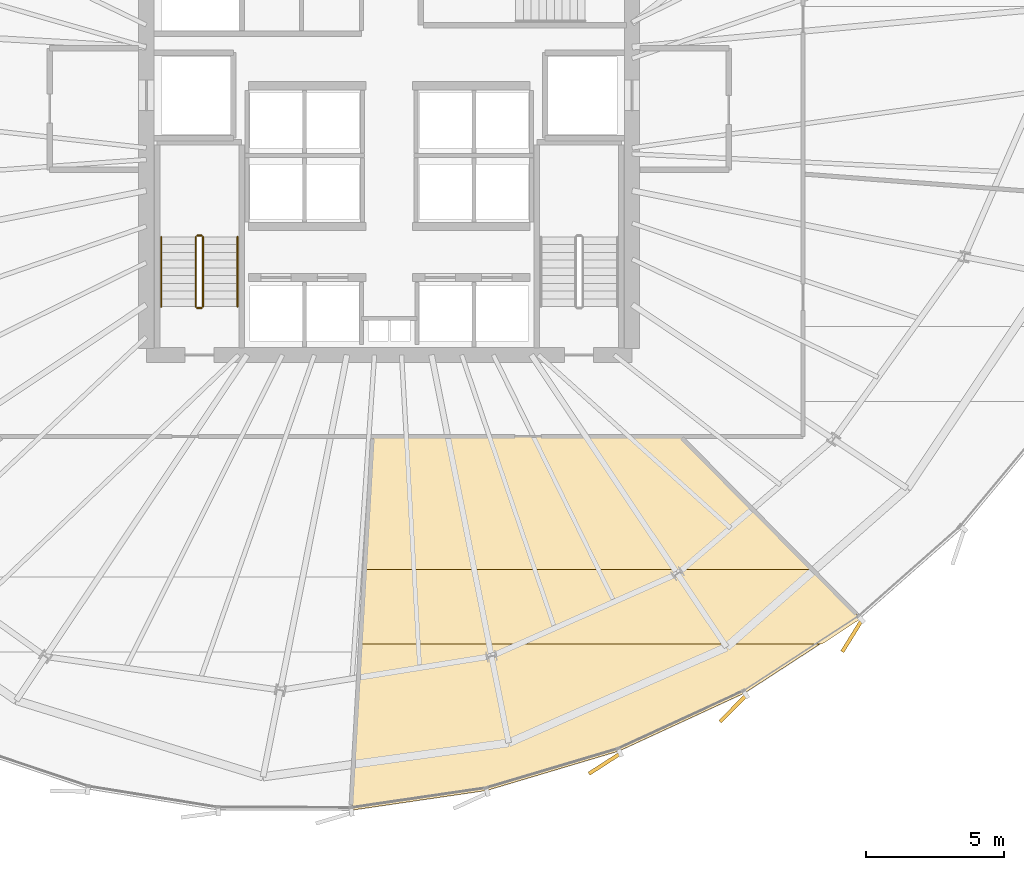
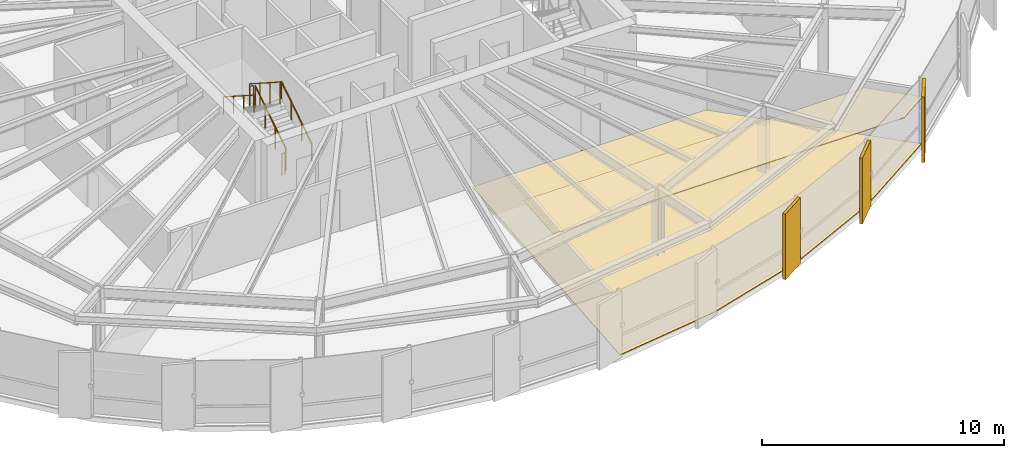
# One storey, part 31 of 33: 6 railings, 5 coverings.
"""IFC4 building model written with IfcOpenShell, lengths in metres."""

import ifcopenshell
import ifcopenshell.guid

model = None  # the IFC model being written
_history = None  # IfcOwnerHistory: only IFC2X3 demands one
_inside = {}  # id of a spatial element -> (the spatial element, [elements in it])
_under = {}  # id of a project, library or spatial element -> (it, [spatial elements below it])
_declared = {}  # id of a project -> (the project, [libraries it declares])
_typed = {}  # id of a type object -> (the type object, [elements of that type])
_made_of = {}  # id of a material, layer set ... -> (it, [elements and type objects made of it])


def new_model(schema):
    """Start an empty IFC model of exactly this schema.

    Asked for "IFC4X3", IfcOpenShell would pick the latest addendum, in which some entities
    have other attributes; the version numbers below select the first issue.
    IFC2X3 requires an IfcOwnerHistory on every rooted entity: one is made here for all.
    """
    global model, _history
    if schema == "IFC4X3":
        model = ifcopenshell.file(schema_version=(4, 3, 0, 0))
    else:
        model = ifcopenshell.file(schema=schema)
    _inside.clear()
    _under.clear()
    _declared.clear()
    _typed.clear()
    _made_of.clear()
    _history = None
    if model.schema == "IFC2X3":
        org = make("IfcOrganization", Name="unknown")
        user = make(
            "IfcPersonAndOrganization",
            ThePerson=make("IfcPerson", FamilyName="unknown"),
            TheOrganization=org,
        )
        app = make(
            "IfcApplication",
            ApplicationDeveloper=org,
            Version="unknown",
            ApplicationFullName="unknown",
            ApplicationIdentifier="unknown",
        )
        _history = make(
            "IfcOwnerHistory",
            OwningUser=user,
            OwningApplication=app,
            ChangeAction="ADDED",
            CreationDate=0,
        )
    return model


def make(cls, **values):
    """One entity of the class cls with the attributes given. An attribute that is None is left unset."""
    return model.create_entity(
        cls, **{name: value for name, value in values.items() if value is not None}
    )


def rooted(cls, **values):
    """An entity with a GlobalId (a new one), such as an element, a storey or a relation."""
    return make(cls, GlobalId=ifcopenshell.guid.new(), OwnerHistory=_history, **values)


def si_unit(unit_type, name, prefix=None):
    """IfcSIUnit, for example si_unit("LENGTHUNIT", "METRE", prefix="MILLI")."""
    return make("IfcSIUnit", UnitType=unit_type, Prefix=prefix, Name=name)


def assignment(units):
    """IfcUnitAssignment: the units of a project."""
    return None if units is None else make("IfcUnitAssignment", Units=units)


def point(xyz):
    """IfcCartesianPoint."""
    return None if xyz is None else make("IfcCartesianPoint", Coordinates=xyz)


def direction(xyz):
    """IfcDirection."""
    return None if xyz is None else make("IfcDirection", DirectionRatios=xyz)


def frame(location, z_axis=None, x_axis=None):
    """IfcAxis2Placement3D, a coordinate frame: its origin and axes. An axis left out is left unset."""
    return make(
        "IfcAxis2Placement3D",
        Location=point(location),
        Axis=direction(z_axis),
        RefDirection=direction(x_axis),
    )


def frame_2d(location, x_axis=None):
    """IfcAxis2Placement2D, a coordinate frame in the plane: its origin and x axis."""
    return make(
        "IfcAxis2Placement2D", Location=point(location), RefDirection=direction(x_axis)
    )


def origin():
    """The frame at (0, 0, 0) with its axes left unset."""
    return frame((0.0, 0.0, 0.0))


def origin_2d():
    """The frame at (0, 0) in the plane with its x axis left unset."""
    return frame_2d((0.0, 0.0))


def place(relative_to, where):
    """IfcLocalPlacement: puts the frame where relative to a parent placement (None: the world)."""
    return make(
        "IfcLocalPlacement", PlacementRelTo=relative_to, RelativePlacement=where
    )


def context(
    kind, dimensions, precision=None, world=None, true_north=None, identifier=None
):
    """IfcGeometricRepresentationContext, for example the 3D "Model" context."""
    return make(
        "IfcGeometricRepresentationContext",
        ContextIdentifier=identifier,
        ContextType=kind,
        CoordinateSpaceDimension=dimensions,
        Precision=precision,
        WorldCoordinateSystem=world,
        TrueNorth=true_north,
    )


def subcontext(parent, identifier, kind, view, scale=None):
    """IfcGeometricRepresentationSubContext, for example "Body" below "Model"."""
    return make(
        "IfcGeometricRepresentationSubContext",
        ContextIdentifier=identifier,
        ContextType=kind,
        ParentContext=parent,
        TargetScale=scale,
        TargetView=view,
    )


def project(units=None, contexts=None):
    """IfcProject with its units and contexts."""
    return rooted(
        "IfcProject",
        Name="project",
        RepresentationContexts=contexts,
        UnitsInContext=assignment(units),
    )


def spatial(cls, under=None, at=None, **own):
    """A site, building, storey or space (cls), placed at a placement, below another one or the project."""
    s = rooted(cls, ObjectPlacement=at, **own)
    if under is not None:
        _under.setdefault(under.id(), (under, []))[1].append(s)
    return s


def polyline(points):
    """IfcPolyline through the points."""
    return make("IfcPolyline", Points=[point(p) for p in points])


def profile(cls, at=None, kind="AREA", **sizes):
    """A parametric profile (cls). Its sizes go by their IFC names, for example OverallWidth=200.0."""
    return make(cls, ProfileType=kind, Position=at, **sizes)


def rectangle(**sizes):
    """IfcRectangleProfileDef."""
    return profile("IfcRectangleProfileDef", **sizes)


def circle(**sizes):
    """IfcCircleProfileDef."""
    return profile("IfcCircleProfileDef", **sizes)


def outline(outer, holes=None, kind="AREA"):
    """IfcArbitraryClosedProfileDef: a profile drawn as a closed curve; with holes, ...WithVoids."""
    if holes is None:
        return make("IfcArbitraryClosedProfileDef", ProfileType=kind, OuterCurve=outer)
    return make(
        "IfcArbitraryProfileDefWithVoids",
        ProfileType=kind,
        OuterCurve=outer,
        InnerCurves=holes,
    )


def extrude(swept, where, along, depth):
    """IfcExtrudedAreaSolid: the profile swept, set in the frame where, extruded along a direction by depth."""
    return make(
        "IfcExtrudedAreaSolid",
        SweptArea=swept,
        Position=where,
        ExtrudedDirection=direction(along),
        Depth=depth,
    )


def shape(context_of_items, identifier, shape_type, items):
    """IfcShapeRepresentation: the items that make up one representation, for example the "Body"."""
    return make(
        "IfcShapeRepresentation",
        ContextOfItems=context_of_items,
        RepresentationIdentifier=identifier,
        RepresentationType=shape_type,
        Items=items,
    )


def source(mapping_origin, context_of_items, identifier, shape_type, items):
    """IfcRepresentationMap: a shape defined once, which mapped items show again and again."""
    return make(
        "IfcRepresentationMap",
        MappingOrigin=mapping_origin,
        MappedRepresentation=shape(context_of_items, identifier, shape_type, items),
    )


def transform(
    local_origin,
    x_axis=None,
    y_axis=None,
    z_axis=None,
    scale=None,
    scale2=None,
    scale3=None,
    uniform=True,
):
    """IfcCartesianTransformationOperator3D, or its non-uniform kind. x_axis, y_axis, z_axis: its Axis1, 2, 3."""
    if uniform:
        return make(
            "IfcCartesianTransformationOperator3D",
            Axis1=direction(x_axis),
            Axis2=direction(y_axis),
            LocalOrigin=point(local_origin),
            Scale=scale,
            Axis3=direction(z_axis),
        )
    return make(
        "IfcCartesianTransformationOperator3DnonUniform",
        Axis1=direction(x_axis),
        Axis2=direction(y_axis),
        LocalOrigin=point(local_origin),
        Scale=scale,
        Axis3=direction(z_axis),
        Scale2=scale2,
        Scale3=scale3,
    )


def mapped(mapping_source, mapping_target):
    """IfcMappedItem: shows the shape of a source again, moved by a transform."""
    return make(
        "IfcMappedItem", MappingSource=mapping_source, MappingTarget=mapping_target
    )


def material(Name=None, Category=None):
    """IfcMaterial."""
    return make("IfcMaterial", Name=Name, Category=Category)


def layer(
    of_material, thickness, ventilated=None, Name=None, Category=None, Priority=None
):
    """IfcMaterialLayer: one layer of a wall or slab, of a material (None: an air gap)."""
    return make(
        "IfcMaterialLayer",
        Material=of_material,
        LayerThickness=thickness,
        IsVentilated=ventilated,
        Name=Name,
        Category=Category,
        Priority=Priority,
    )


def layer_set(layers, Name=None):
    """IfcMaterialLayerSet."""
    return make("IfcMaterialLayerSet", MaterialLayers=layers, LayerSetName=Name)


def made_of(thing, what):
    """Note that an element or type object is made of a material, layer set ...; save() writes the relation."""
    if what is not None:
        _made_of.setdefault(what.id(), (what, []))[1].append(thing)
    return thing


def type_object(cls, material=None, **own):
    """A type object (cls), such as IfcWallType, which elements share."""
    return made_of(rooted(cls, **own), material)


def element(
    cls,
    number,
    at=None,
    inside=None,
    cuts=None,
    type_object=None,
    material=None,
    context=None,
    identifier="Body",
    shape_type=None,
    held_by="IfcProductDefinitionShape",
    body=None,
    shapes=None,
    **own,
):
    """One element of the class cls, such as IfcWall. Its Tag is "e" and its number.

    at: its placement. inside: the storey or other place that contains it. cuts: it is an
    opening in that element (IfcRelVoidsElement). A single representation is given by context,
    identifier, shape_type and body (its items); several are given by shapes. held_by: the class
    of the entity that holds the representations. save() writes the other relations.
    """
    e = rooted(cls, Tag="e%d" % number, ObjectPlacement=at, **own)
    if body is not None:
        shapes = [shape(context, identifier, shape_type, body)]
    if shapes is not None:
        e.Representation = make(held_by, Representations=shapes)
    if inside is not None:
        _inside.setdefault(inside.id(), (inside, []))[1].append(e)
    if cuts is not None:
        rooted(
            "IfcRelVoidsElement", RelatingBuildingElement=cuts, RelatedOpeningElement=e
        )
    if type_object is not None:
        _typed.setdefault(type_object.id(), (type_object, []))[1].append(e)
    return made_of(e, material)


def aggregate(whole, parts):
    """IfcRelAggregates: a whole, such as a stair, and the parts it consists of."""
    return rooted("IfcRelAggregates", RelatingObject=whole, RelatedObjects=parts)


def save(model, path):
    """Write the relations noted so far, then the file.

    IfcRelAggregates (storeys below a building ...), IfcRelContainedInSpatialStructure (elements
    in a storey), IfcRelDefinesByType, IfcRelAssociatesMaterial and IfcRelDeclares: one each for
    every whole, place, type object, material and project.
    """
    for whole, parts in _under.values():
        aggregate(whole, parts)
    for where, things in _inside.values():
        rooted(
            "IfcRelContainedInSpatialStructure",
            RelatedElements=things,
            RelatingStructure=where,
        )
    for kind, things in _typed.values():
        rooted("IfcRelDefinesByType", RelatedObjects=things, RelatingType=kind)
    for what, things in _made_of.values():
        rooted("IfcRelAssociatesMaterial", RelatedObjects=things, RelatingMaterial=what)
    for by, libraries in _declared.values():
        rooted("IfcRelDeclares", RelatingContext=by, RelatedDefinitions=libraries)
    model.write(path)


model = new_model("IFC4")

# Units and contexts
model_context = context("Model", 3, precision=1e-05, world=origin(), true_north=direction((0.0, 1.0)))
body_context = subcontext(model_context, "Body", "Model", "MODEL_VIEW")
ifc_project = project(units=[si_unit("LENGTHUNIT", "METRE"), si_unit("AREAUNIT", "SQUARE_METRE"), si_unit("VOLUMEUNIT", "CUBIC_METRE"), si_unit("PLANEANGLEUNIT", "RADIAN"), si_unit("MASSUNIT", "GRAM", prefix="KILO"), si_unit("THERMODYNAMICTEMPERATUREUNIT", "KELVIN")], contexts=[model_context])

# Site, building, storey
site_placement = place(None, origin())
site = spatial("IfcSite", under=ifc_project, at=site_placement, CompositionType="ELEMENT")
building_placement = place(site_placement, origin())
building = spatial("IfcBuilding", under=site, at=building_placement, Name="Kethvar Cultural Tower", CompositionType="ELEMENT")
storey_placement = place(building_placement, frame((0.0, 0.0, 118.0)))
storey = spatial("IfcBuildingStorey", under=building, at=storey_placement, Name="L29", CompositionType="ELEMENT", Elevation=118.0)

# Coverings
ifc_material_1 = material(Name="Acoustic Mineral Fibre Ceiling")
ifc_layer_1 = layer(ifc_material_1, 0.0400390625, Name="Acoustic Mineral Fibre Ceiling")
ifc_layer_set_1 = layer_set([ifc_layer_1], Name="Acoustic Mineral Fibre Ceiling (40 mm)")
covering_type_1 = type_object("IfcCoveringType", Name="CV-ACOUSTIC-CEIL", PredefinedType="CEILING", material=ifc_layer_set_1)
covering_1_placement = place(storey_placement, frame((0.0, 0.0, 2.340087890625)))
element("IfcCovering", 1, at=covering_1_placement, inside=storey, type_object=covering_type_1, Name="L29 Room 02 Acoustic Ceiling Panel", PredefinedType="CEILING", context=body_context, shape_type="SweptSolid", body=[
    extrude(outline(polyline([(45.904296875, 12.33349609375), (62.13330078125, 12.33349609375), (63.88818359375, 10.5498046875), (62.477294921875, 9.62353515625), (45.750732421875, 9.62353515625), (45.904296875, 12.33349609375)])), origin(), (0.0, 0.0, 1.0), 0.039794921875),
])
ifc_material_2 = material(Name="Honed Warm Limestone", Category="masonry")
ifc_layer_2 = layer(ifc_material_2, 0.030029296875, Name="Honed Warm Limestone", Category="masonry")
ifc_layer_set_2 = layer_set([ifc_layer_2], Name="Honed Warm Limestone (30 mm)")
covering_type_2 = type_object("IfcCoveringType", Name="CV-STONE-FLOOR", PredefinedType="FLOORING", material=ifc_layer_set_2)
covering_2_placement = place(storey_placement, origin())
element("IfcCovering", 2, at=covering_2_placement, inside=storey, type_object=covering_type_2, Name="L29 Room 02 Floor Finish", PredefinedType="FLOORING", context=body_context, shape_type="SweptSolid", body=[
    extrude(outline(polyline([(59.681396484375, 7.853271484375), (55.131591796875, 5.751220703125), (50.333251953125, 4.32080078125), (45.4501953125, 3.607421875), (46.21533203125, 17.1201171875), (57.340576171875, 17.1201171875), (63.8369140625, 10.55517578125), (59.681396484375, 7.853271484375)])), origin(), (0.0, 0.0, 1.0), 0.030029296875),
])

# Railings
ifc_material_3 = material(Name="Steel S355J2", Category="steel")
railing_type_1 = type_object("IfcRailingType", Name="RL-STAIR-GUARD", PredefinedType="BALUSTRADE", material=ifc_material_3)
railing_1_placement = place(storey_placement, frame((40.050048828125, 21.85009765625, 0.179931640625)))
element("IfcRailing", 3, at=railing_1_placement, inside=storey, type_object=railing_type_1, Name="L29 ST-01 stair guard 1", PredefinedType="BALUSTRADE", context=body_context, shape_type="SweptSolid", body=[
    extrude(circle(Radius=0.02392578125, at=origin_2d()), frame((0.0, 0.0, 1.09619140625), z_axis=(0.0, 0.841162588446, 0.540782303519), x_axis=(-1.0, 0.0, 0.0)), (0.0, 0.0, 1.0), 2.995849609375),
    extrude(circle(Radius=0.02099609375, at=origin_2d()), origin(), (0.0, 0.0, 1.0), 1.072021484375),
    extrude(circle(Radius=0.02099609375, at=origin_2d()), frame((0.0, 0.840087890625, 0.5400390625)), (0.0, 0.0, 1.0), 1.072021484375),
    extrude(circle(Radius=0.02099609375, at=origin_2d()), frame((0.0, 1.679931640625, 1.080078125)), (0.0, 0.0, 1.0), 1.072021484375),
    extrude(circle(Radius=0.02099609375, at=origin_2d()), frame((0.0, 2.52001953125, 1.6201171875)), (0.0, 0.0, 1.0), 1.072021484375),
])
railing_2_placement = place(storey_placement, frame((40.0, 24.419921875, 1.800048828125)))
element("IfcRailing", 4, at=railing_2_placement, inside=storey, type_object=railing_type_1, Name="L29 ST-01 stair guard 2", PredefinedType="BALUSTRADE", context=body_context, shape_type="SweptSolid", body=[
    extrude(circle(Radius=0.02392578125, at=origin_2d()), frame((0.0, 0.0, 1.09619140625), z_axis=(-1.0, 0.0, 0.0), x_axis=(0.0, -1.0, 0.0)), (0.0, 0.0, 1.0), 0.159912109375),
    extrude(circle(Radius=0.02099609375, at=origin_2d()), origin(), (0.0, 0.0, 1.0), 1.072021484375),
    extrude(circle(Radius=0.02099609375, at=origin_2d()), frame((-0.159912109375, 0.0, 0.0)), (0.0, 0.0, 1.0), 1.072021484375),
])
railing_3_placement = place(storey_placement, frame((39.7900390625, 24.3701171875, 1.97998046875)))
element("IfcRailing", 5, at=railing_3_placement, inside=storey, type_object=railing_type_1, Name="L29 ST-01 stair guard 3", PredefinedType="BALUSTRADE", context=body_context, shape_type="SweptSolid", body=[
    extrude(circle(Radius=0.02392578125, at=origin_2d()), frame((0.0, 0.0, 1.09619140625), z_axis=(0.0, -0.841162588446, 0.540782303519), x_axis=(1.0, 0.0, 0.0)), (0.0, 0.0, 1.0), 2.995849609375),
    extrude(circle(Radius=0.02099609375, at=origin_2d()), origin(), (0.0, 0.0, 1.0), 1.072021484375),
    extrude(circle(Radius=0.02099609375, at=origin_2d()), frame((0.0, -0.840087890625, 0.5400390625)), (0.0, 0.0, 1.0), 1.072021484375),
    extrude(circle(Radius=0.02099609375, at=origin_2d()), frame((0.0, -1.679931640625, 1.080078125)), (0.0, 0.0, 1.0), 1.072021484375),
    extrude(circle(Radius=0.02099609375, at=origin_2d()), frame((0.0, -2.52001953125, 1.6201171875)), (0.0, 0.0, 1.0), 1.072021484375),
])
railing_4_placement = place(storey_placement, frame((40.0, 21.800048828125, 0.0)))
element("IfcRailing", 6, at=railing_4_placement, inside=storey, type_object=railing_type_1, Name="L29 ST-01 stair guard 4", PredefinedType="BALUSTRADE", context=body_context, shape_type="SweptSolid", body=[
    extrude(circle(Radius=0.02392578125, at=origin_2d()), frame((0.0, 0.0, 1.09619140625), z_axis=(-1.0, 0.0, 0.0), x_axis=(0.0, -1.0, 0.0)), (0.0, 0.0, 1.0), 0.159912109375),
    extrude(circle(Radius=0.02099609375, at=origin_2d()), origin(), (0.0, 0.0, 1.0), 1.072021484375),
    extrude(circle(Radius=0.02099609375, at=origin_2d()), frame((-0.159912109375, 0.0, 0.0)), (0.0, 0.0, 1.0), 1.072021484375),
])
railing_type_2 = type_object("IfcRailingType", Name="RL-STAIR-HANDRAIL", PredefinedType="HANDRAIL", material=ifc_material_3)
railing_5_placement = place(storey_placement, frame((41.300048828125, 21.85009765625, 0.179931640625)))
element("IfcRailing", 7, at=railing_5_placement, inside=storey, type_object=railing_type_2, Name="L29 ST-01 stair handrail 1", PredefinedType="HANDRAIL", context=body_context, shape_type="SweptSolid", body=[
    extrude(circle(Radius=0.02392578125, at=origin_2d()), frame((0.0, 0.0, 0.8759765625), z_axis=(0.0, 0.841162588446, 0.540782303519), x_axis=(-1.0, 0.0, 0.0)), (0.0, 0.0, 1.0), 2.995849609375),
    extrude(circle(Radius=0.02099609375, at=origin_2d()), origin(), (0.0, 0.0, 1.0), 0.851806640625),
    extrude(circle(Radius=0.02099609375, at=origin_2d()), frame((0.0, 0.840087890625, 0.5400390625)), (0.0, 0.0, 1.0), 0.851806640625),
    extrude(circle(Radius=0.02099609375, at=origin_2d()), frame((0.0, 1.679931640625, 1.080078125)), (0.0, 0.0, 1.0), 0.851806640625),
    extrude(circle(Radius=0.02099609375, at=origin_2d()), frame((0.0, 2.52001953125, 1.6201171875)), (0.0, 0.0, 1.0), 0.851806640625),
])
railing_6_placement = place(storey_placement, frame((38.5400390625, 24.3701171875, 1.97998046875)))
element("IfcRailing", 8, at=railing_6_placement, inside=storey, type_object=railing_type_2, Name="L29 ST-01 stair handrail 2", PredefinedType="HANDRAIL", context=body_context, shape_type="SweptSolid", body=[
    extrude(circle(Radius=0.02392578125, at=origin_2d()), frame((0.0, 0.0, 0.8759765625), z_axis=(0.0, -0.841162588446, 0.540782303519), x_axis=(1.0, 0.0, 0.0)), (0.0, 0.0, 1.0), 2.995849609375),
    extrude(circle(Radius=0.02099609375, at=origin_2d()), origin(), (0.0, 0.0, 1.0), 0.851806640625),
    extrude(circle(Radius=0.02099609375, at=origin_2d()), frame((0.0, -0.840087890625, 0.5400390625)), (0.0, 0.0, 1.0), 0.851806640625),
    extrude(circle(Radius=0.02099609375, at=origin_2d()), frame((0.0, -1.679931640625, 1.080078125)), (0.0, 0.0, 1.0), 0.851806640625),
    extrude(circle(Radius=0.02099609375, at=origin_2d()), frame((0.0, -2.52001953125, 1.6201171875)), (0.0, 0.0, 1.0), 0.851806640625),
])

# Coverings
ifc_material_4 = material(Name="Extruded Architectural Terracotta", Category="masonry")
ifc_layer_3 = layer(ifc_material_4, 0.135009765625, Name="Extruded Architectural Terracotta", Category="masonry")
ifc_layer_set_3 = layer_set([ifc_layer_3], Name="Extruded Architectural Terracotta (135 mm)")
covering_type_3 = type_object("IfcCoveringType", Name="Terracotta Facade Fin FIN-02", PredefinedType="CLADDING", material=ifc_layer_set_3)
shared_shape = source(origin(), body_context, "Body", "SweptSolid", [
    extrude(rectangle(XDim=1.35009765625, YDim=0.135009765625, at=origin_2d()), origin(), (0.0, 0.0, 1.0), 3.31005859375),
])
for number, where, z_axis, x_axis, name in (
    (9, (54.60498046875, 5.2939453125, 0.02001953125), (0.0, 0.0, 1.0), (-0.840566603496, -0.541708210283, 0.0), "L29 Vertical Terracotta Fin 5.4"),
    (10, (59.2587890625, 7.2900390625, 0.02001953125), (0.0, 0.0, 1.0), (-0.705129412033, -0.709078636179, 0.0), "L29 Vertical Terracotta Fin 5.5"),
    (11, (63.566162109375, 9.917724609375, 0.02001953125), (0.0, 0.0, 1.0), (-0.526065501177, -0.850444053699, 0.0), "L29 Vertical Terracotta Fin 5.6"),
):
    element("IfcCovering", number, at=place(storey_placement, frame(where, z_axis=z_axis, x_axis=x_axis)), inside=storey, type_object=covering_type_3, Name=name, PredefinedType="CLADDING", context=body_context, shape_type="MappedRepresentation", body=[
        mapped(shared_shape, transform((0.0, 0.0, 0.0), scale=1.0)),
    ])

save(model, "model.ifc")
